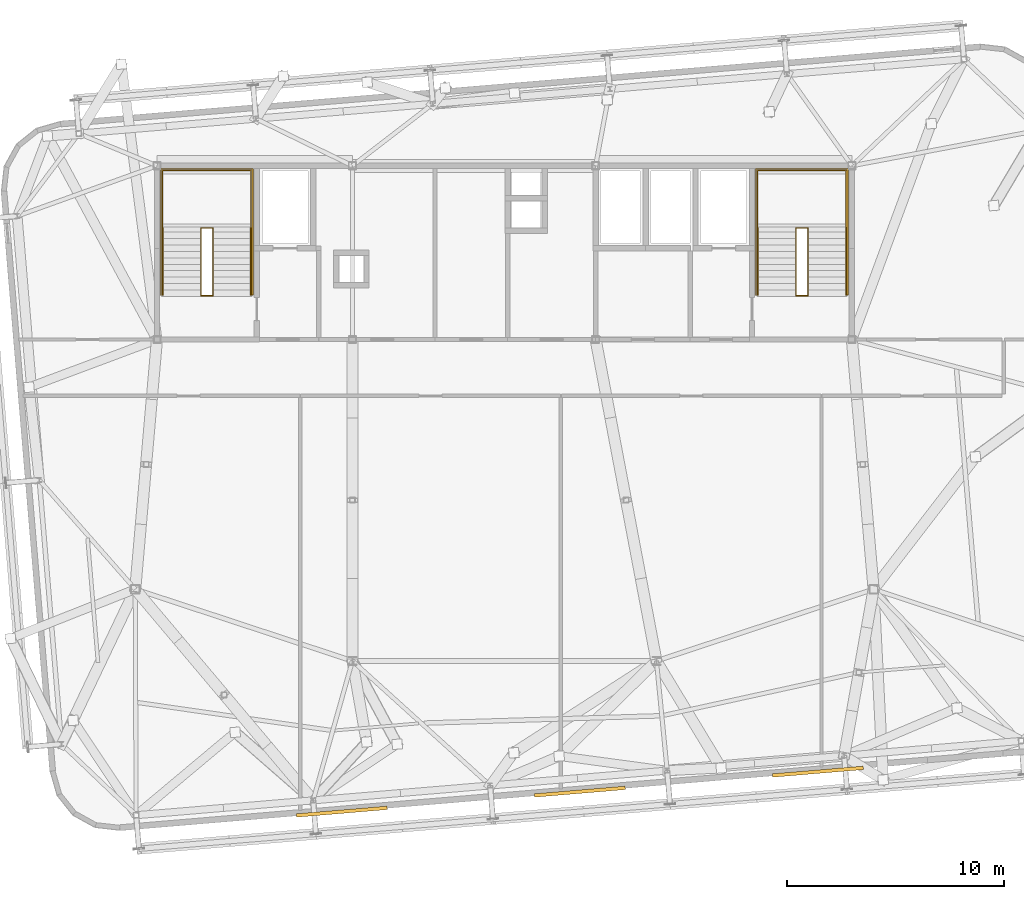
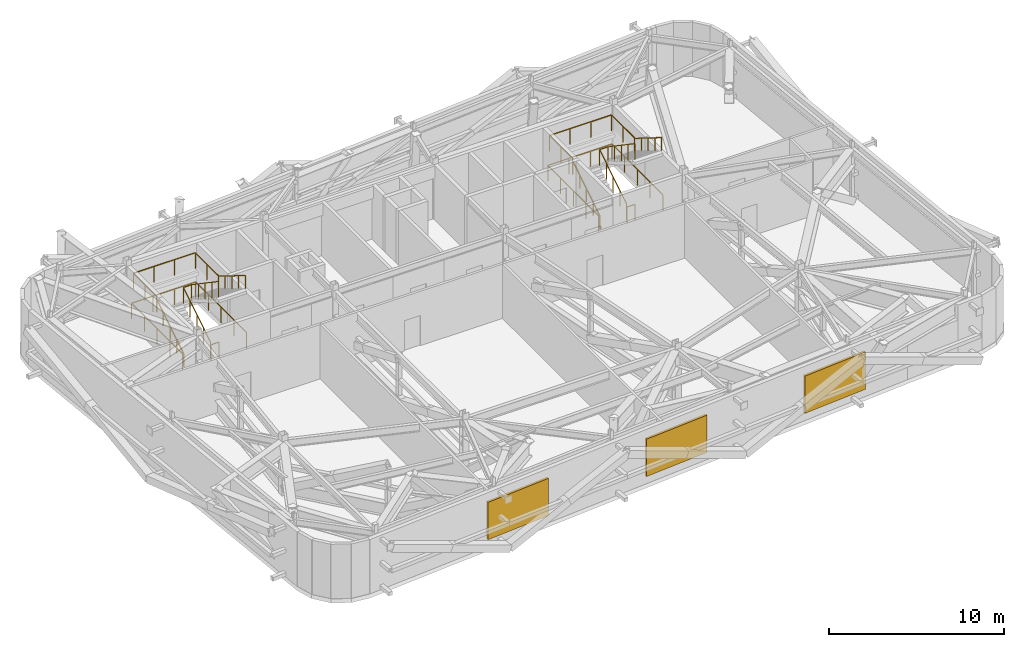
# One storey, part 26 of 26: 12 railings, 3 shading devices.
"""IFC4 building model written with IfcOpenShell, lengths in metres."""

import ifcopenshell
import ifcopenshell.guid

model = None  # the IFC model being written
_history = None  # IfcOwnerHistory: only IFC2X3 demands one
_inside = {}  # id of a spatial element -> (the spatial element, [elements in it])
_under = {}  # id of a project, library or spatial element -> (it, [spatial elements below it])
_declared = {}  # id of a project -> (the project, [libraries it declares])
_typed = {}  # id of a type object -> (the type object, [elements of that type])
_made_of = {}  # id of a material, layer set ... -> (it, [elements and type objects made of it])


def new_model(schema):
    """Start an empty IFC model of exactly this schema.

    Asked for "IFC4X3", IfcOpenShell would pick the latest addendum, in which some entities
    have other attributes; the version numbers below select the first issue.
    IFC2X3 requires an IfcOwnerHistory on every rooted entity: one is made here for all.
    """
    global model, _history
    if schema == "IFC4X3":
        model = ifcopenshell.file(schema_version=(4, 3, 0, 0))
    else:
        model = ifcopenshell.file(schema=schema)
    _inside.clear()
    _under.clear()
    _declared.clear()
    _typed.clear()
    _made_of.clear()
    _history = None
    if model.schema == "IFC2X3":
        org = make("IfcOrganization", Name="unknown")
        user = make(
            "IfcPersonAndOrganization",
            ThePerson=make("IfcPerson", FamilyName="unknown"),
            TheOrganization=org,
        )
        app = make(
            "IfcApplication",
            ApplicationDeveloper=org,
            Version="unknown",
            ApplicationFullName="unknown",
            ApplicationIdentifier="unknown",
        )
        _history = make(
            "IfcOwnerHistory",
            OwningUser=user,
            OwningApplication=app,
            ChangeAction="ADDED",
            CreationDate=0,
        )
    return model


def make(cls, **values):
    """One entity of the class cls with the attributes given. An attribute that is None is left unset."""
    return model.create_entity(
        cls, **{name: value for name, value in values.items() if value is not None}
    )


def rooted(cls, **values):
    """An entity with a GlobalId (a new one), such as an element, a storey or a relation."""
    return make(cls, GlobalId=ifcopenshell.guid.new(), OwnerHistory=_history, **values)


def si_unit(unit_type, name, prefix=None):
    """IfcSIUnit, for example si_unit("LENGTHUNIT", "METRE", prefix="MILLI")."""
    return make("IfcSIUnit", UnitType=unit_type, Prefix=prefix, Name=name)


def assignment(units):
    """IfcUnitAssignment: the units of a project."""
    return None if units is None else make("IfcUnitAssignment", Units=units)


def point(xyz):
    """IfcCartesianPoint."""
    return None if xyz is None else make("IfcCartesianPoint", Coordinates=xyz)


def direction(xyz):
    """IfcDirection."""
    return None if xyz is None else make("IfcDirection", DirectionRatios=xyz)


def frame(location, z_axis=None, x_axis=None):
    """IfcAxis2Placement3D, a coordinate frame: its origin and axes. An axis left out is left unset."""
    return make(
        "IfcAxis2Placement3D",
        Location=point(location),
        Axis=direction(z_axis),
        RefDirection=direction(x_axis),
    )


def frame_2d(location, x_axis=None):
    """IfcAxis2Placement2D, a coordinate frame in the plane: its origin and x axis."""
    return make(
        "IfcAxis2Placement2D", Location=point(location), RefDirection=direction(x_axis)
    )


def origin():
    """The frame at (0, 0, 0) with its axes left unset."""
    return frame((0.0, 0.0, 0.0))


def origin_2d():
    """The frame at (0, 0) in the plane with its x axis left unset."""
    return frame_2d((0.0, 0.0))


def place(relative_to, where):
    """IfcLocalPlacement: puts the frame where relative to a parent placement (None: the world)."""
    return make(
        "IfcLocalPlacement", PlacementRelTo=relative_to, RelativePlacement=where
    )


def context(
    kind, dimensions, precision=None, world=None, true_north=None, identifier=None
):
    """IfcGeometricRepresentationContext, for example the 3D "Model" context."""
    return make(
        "IfcGeometricRepresentationContext",
        ContextIdentifier=identifier,
        ContextType=kind,
        CoordinateSpaceDimension=dimensions,
        Precision=precision,
        WorldCoordinateSystem=world,
        TrueNorth=true_north,
    )


def subcontext(parent, identifier, kind, view, scale=None):
    """IfcGeometricRepresentationSubContext, for example "Body" below "Model"."""
    return make(
        "IfcGeometricRepresentationSubContext",
        ContextIdentifier=identifier,
        ContextType=kind,
        ParentContext=parent,
        TargetScale=scale,
        TargetView=view,
    )


def project(units=None, contexts=None):
    """IfcProject with its units and contexts."""
    return rooted(
        "IfcProject",
        Name="project",
        RepresentationContexts=contexts,
        UnitsInContext=assignment(units),
    )


def spatial(cls, under=None, at=None, **own):
    """A site, building, storey or space (cls), placed at a placement, below another one or the project."""
    s = rooted(cls, ObjectPlacement=at, **own)
    if under is not None:
        _under.setdefault(under.id(), (under, []))[1].append(s)
    return s


def profile(cls, at=None, kind="AREA", **sizes):
    """A parametric profile (cls). Its sizes go by their IFC names, for example OverallWidth=200.0."""
    return make(cls, ProfileType=kind, Position=at, **sizes)


def rectangle(**sizes):
    """IfcRectangleProfileDef."""
    return profile("IfcRectangleProfileDef", **sizes)


def extrude(swept, where, along, depth):
    """IfcExtrudedAreaSolid: the profile swept, set in the frame where, extruded along a direction by depth."""
    return make(
        "IfcExtrudedAreaSolid",
        SweptArea=swept,
        Position=where,
        ExtrudedDirection=direction(along),
        Depth=depth,
    )


def shape(context_of_items, identifier, shape_type, items):
    """IfcShapeRepresentation: the items that make up one representation, for example the "Body"."""
    return make(
        "IfcShapeRepresentation",
        ContextOfItems=context_of_items,
        RepresentationIdentifier=identifier,
        RepresentationType=shape_type,
        Items=items,
    )


def source(mapping_origin, context_of_items, identifier, shape_type, items):
    """IfcRepresentationMap: a shape defined once, which mapped items show again and again."""
    return make(
        "IfcRepresentationMap",
        MappingOrigin=mapping_origin,
        MappedRepresentation=shape(context_of_items, identifier, shape_type, items),
    )


def transform(
    local_origin,
    x_axis=None,
    y_axis=None,
    z_axis=None,
    scale=None,
    scale2=None,
    scale3=None,
    uniform=True,
):
    """IfcCartesianTransformationOperator3D, or its non-uniform kind. x_axis, y_axis, z_axis: its Axis1, 2, 3."""
    if uniform:
        return make(
            "IfcCartesianTransformationOperator3D",
            Axis1=direction(x_axis),
            Axis2=direction(y_axis),
            LocalOrigin=point(local_origin),
            Scale=scale,
            Axis3=direction(z_axis),
        )
    return make(
        "IfcCartesianTransformationOperator3DnonUniform",
        Axis1=direction(x_axis),
        Axis2=direction(y_axis),
        LocalOrigin=point(local_origin),
        Scale=scale,
        Axis3=direction(z_axis),
        Scale2=scale2,
        Scale3=scale3,
    )


def mapped(mapping_source, mapping_target):
    """IfcMappedItem: shows the shape of a source again, moved by a transform."""
    return make(
        "IfcMappedItem", MappingSource=mapping_source, MappingTarget=mapping_target
    )


def material(Name=None, Category=None):
    """IfcMaterial."""
    return make("IfcMaterial", Name=Name, Category=Category)


def layer(
    of_material, thickness, ventilated=None, Name=None, Category=None, Priority=None
):
    """IfcMaterialLayer: one layer of a wall or slab, of a material (None: an air gap)."""
    return make(
        "IfcMaterialLayer",
        Material=of_material,
        LayerThickness=thickness,
        IsVentilated=ventilated,
        Name=Name,
        Category=Category,
        Priority=Priority,
    )


def layer_set(layers, Name=None):
    """IfcMaterialLayerSet."""
    return make("IfcMaterialLayerSet", MaterialLayers=layers, LayerSetName=Name)


def made_of(thing, what):
    """Note that an element or type object is made of a material, layer set ...; save() writes the relation."""
    if what is not None:
        _made_of.setdefault(what.id(), (what, []))[1].append(thing)
    return thing


def type_object(cls, material=None, **own):
    """A type object (cls), such as IfcWallType, which elements share."""
    return made_of(rooted(cls, **own), material)


def element(
    cls,
    number,
    at=None,
    inside=None,
    cuts=None,
    type_object=None,
    material=None,
    context=None,
    identifier="Body",
    shape_type=None,
    held_by="IfcProductDefinitionShape",
    body=None,
    shapes=None,
    **own,
):
    """One element of the class cls, such as IfcWall. Its Tag is "e" and its number.

    at: its placement. inside: the storey or other place that contains it. cuts: it is an
    opening in that element (IfcRelVoidsElement). A single representation is given by context,
    identifier, shape_type and body (its items); several are given by shapes. held_by: the class
    of the entity that holds the representations. save() writes the other relations.
    """
    e = rooted(cls, Tag="e%d" % number, ObjectPlacement=at, **own)
    if body is not None:
        shapes = [shape(context, identifier, shape_type, body)]
    if shapes is not None:
        e.Representation = make(held_by, Representations=shapes)
    if inside is not None:
        _inside.setdefault(inside.id(), (inside, []))[1].append(e)
    if cuts is not None:
        rooted(
            "IfcRelVoidsElement", RelatingBuildingElement=cuts, RelatedOpeningElement=e
        )
    if type_object is not None:
        _typed.setdefault(type_object.id(), (type_object, []))[1].append(e)
    return made_of(e, material)


def aggregate(whole, parts):
    """IfcRelAggregates: a whole, such as a stair, and the parts it consists of."""
    return rooted("IfcRelAggregates", RelatingObject=whole, RelatedObjects=parts)


def save(model, path):
    """Write the relations noted so far, then the file.

    IfcRelAggregates (storeys below a building ...), IfcRelContainedInSpatialStructure (elements
    in a storey), IfcRelDefinesByType, IfcRelAssociatesMaterial and IfcRelDeclares: one each for
    every whole, place, type object, material and project.
    """
    for whole, parts in _under.values():
        aggregate(whole, parts)
    for where, things in _inside.values():
        rooted(
            "IfcRelContainedInSpatialStructure",
            RelatedElements=things,
            RelatingStructure=where,
        )
    for kind, things in _typed.values():
        rooted("IfcRelDefinesByType", RelatedObjects=things, RelatingType=kind)
    for what, things in _made_of.values():
        rooted("IfcRelAssociatesMaterial", RelatedObjects=things, RelatingMaterial=what)
    for by, libraries in _declared.values():
        rooted("IfcRelDeclares", RelatingContext=by, RelatedDefinitions=libraries)
    model.write(path)


model = new_model("IFC4")

# Units and contexts
model_context = context("Model", 3, precision=1e-05, world=origin(), true_north=direction((0.0, 1.0)))
body_context = subcontext(model_context, "Body", "Model", "MODEL_VIEW")
ifc_project = project(units=[si_unit("LENGTHUNIT", "METRE"), si_unit("AREAUNIT", "SQUARE_METRE"), si_unit("VOLUMEUNIT", "CUBIC_METRE"), si_unit("PLANEANGLEUNIT", "RADIAN"), si_unit("MASSUNIT", "GRAM", prefix="KILO")], contexts=[model_context])

# Site, building, storey
site_placement = place(None, origin())
site = spatial("IfcSite", under=ifc_project, at=site_placement, CompositionType="ELEMENT")
building_placement = place(site_placement, origin())
building = spatial("IfcBuilding", under=site, at=building_placement, Name="Taldren Reach Tower", CompositionType="ELEMENT")
storey_placement = place(building_placement, frame((0.0, 0.0, 207.199951171875)))
storey = spatial("IfcBuildingStorey", under=building, at=storey_placement, Name="L63", CompositionType="ELEMENT", Elevation=207.199951171875)

# Railings
ifc_material_1 = material(Name="Steel Gr 350 (C350L0)", Category="steel")
ifc_layer_1 = layer(ifc_material_1, 0.050048828125)
ifc_layer_set_1 = layer_set([ifc_layer_1], Name="Steel Gr 350 (C350L0)")
railing_type_1 = type_object("IfcRailingType", Name="RL-STAIR-GR", PredefinedType="GUARDRAIL", material=ifc_layer_set_1)
railing_1_placement = place(storey_placement, frame((19.260009765625, 29.135009765625, 2.10009765625)))
element("IfcRailing", 1, at=railing_1_placement, inside=storey, type_object=railing_type_1, Name="Stair half-landing perimeter guard ST1-L63", PredefinedType="GUARDRAIL", context=body_context, shape_type="SweptSolid", body=[
    extrude(rectangle(XDim=0.047852, YDim=0.047852, at=origin_2d()), frame((0.0, 0.0, 1.09619140625), z_axis=(0.0, 1.0, 0.0), x_axis=(-1.0, 0.0, 0.0)), (0.0, 0.0, 1.0), 2.64501953125),
    extrude(rectangle(XDim=0.047852, YDim=0.047852, at=origin_2d()), frame((0.0, 2.64501953125, 1.09619140625), z_axis=(1.0, 0.0, 0.0), x_axis=(0.0, 1.0, 0.0)), (0.0, 0.0, 1.0), 4.080078125),
    extrude(rectangle(XDim=0.047852, YDim=0.047852, at=origin_2d()), frame((4.080078125, 2.64501953125, 1.09619140625), z_axis=(0.0, -1.0, 0.0), x_axis=(1.0, 0.0, 0.0)), (0.0, 0.0, 1.0), 2.64501953125),
    extrude(rectangle(XDim=0.041992, YDim=0.041992, at=origin_2d()), origin(), (0.0, 0.0, 1.0), 1.072021484375),
    extrude(rectangle(XDim=0.041992, YDim=0.041992, at=origin_2d()), frame((0.0, 1.322509765625, 0.0)), (0.0, 0.0, 1.0), 1.072021484375),
    extrude(rectangle(XDim=0.041992, YDim=0.041992, at=origin_2d()), frame((0.0, 2.64501953125, 0.0)), (0.0, 0.0, 1.0), 1.072021484375),
    extrude(rectangle(XDim=0.041992, YDim=0.041992, at=origin_2d()), frame((1.360107421875, 2.64501953125, 0.0)), (0.0, 0.0, 1.0), 1.072021484375),
    extrude(rectangle(XDim=0.041992, YDim=0.041992, at=origin_2d()), frame((2.719970703125, 2.64501953125, 0.0)), (0.0, 0.0, 1.0), 1.072021484375),
    extrude(rectangle(XDim=0.041992, YDim=0.041992, at=origin_2d()), frame((4.080078125, 2.64501953125, 0.0)), (0.0, 0.0, 1.0), 1.072021484375),
    extrude(rectangle(XDim=0.041992, YDim=0.041992, at=origin_2d()), frame((4.080078125, 1.322509765625, 0.0)), (0.0, 0.0, 1.0), 1.072021484375),
    extrude(rectangle(XDim=0.041992, YDim=0.041992, at=origin_2d()), frame((4.080078125, 0.0, 0.0)), (0.0, 0.0, 1.0), 1.072021484375),
])
railing_2_placement = place(storey_placement, frame((21.030029296875, 26.050048828125, 0.175048828125)))
element("IfcRailing", 2, at=railing_2_placement, inside=storey, type_object=railing_type_1, Name="Stairwell inner guard ST1-L63", PredefinedType="GUARDRAIL", context=body_context, shape_type="SweptSolid", body=[
    extrude(rectangle(XDim=0.047852, YDim=0.047852, at=origin_2d()), frame((0.0, 0.0, 1.09619140625), z_axis=(0.0, 0.848375277705, 0.529395304266), x_axis=(-1.0, 0.0, 0.0)), (0.0, 0.0, 1.0), 3.63623046875),
    extrude(rectangle(XDim=0.047852, YDim=0.047852, at=origin_2d()), frame((0.0, 3.0849609375, 3.02099609375), z_axis=(1.0, 0.0, 0.0), x_axis=(0.0, 1.0, 0.0)), (0.0, 0.0, 1.0), 0.5400390625),
    extrude(rectangle(XDim=0.047852, YDim=0.047852, at=origin_2d()), frame((0.5400390625, 3.0849609375, 3.02099609375), z_axis=(0.0, -0.826667233066, 0.562691110446), x_axis=(1.0, 0.0, 0.0)), (0.0, 0.0, 1.0), 3.731689453125),
    extrude(rectangle(XDim=0.041992, YDim=0.041992, at=origin_2d()), origin(), (0.0, 0.0, 1.0), 1.072021484375),
    extrude(rectangle(XDim=0.041992, YDim=0.041992, at=origin_2d()), frame((0.0, 0.771240234375, 0.481201171875)), (0.0, 0.0, 1.0), 1.072021484375),
    extrude(rectangle(XDim=0.041992, YDim=0.041992, at=origin_2d()), frame((0.0, 1.54248046875, 0.96240234375)), (0.0, 0.0, 1.0), 1.072021484375),
    extrude(rectangle(XDim=0.041992, YDim=0.041992, at=origin_2d()), frame((0.0, 2.313720703125, 1.44384765625)), (0.0, 0.0, 1.0), 1.072021484375),
    extrude(rectangle(XDim=0.041992, YDim=0.041992, at=origin_2d()), frame((0.0, 3.0849609375, 1.925048828125)), (0.0, 0.0, 1.0), 1.072021484375),
    extrude(rectangle(XDim=0.041992, YDim=0.041992, at=origin_2d()), frame((0.5400390625, 3.0849609375, 1.925048828125)), (0.0, 0.0, 1.0), 1.072021484375),
    extrude(rectangle(XDim=0.041992, YDim=0.041992, at=origin_2d()), frame((0.5400390625, 2.313720703125, 2.449951171875)), (0.0, 0.0, 1.0), 1.072021484375),
    extrude(rectangle(XDim=0.041992, YDim=0.041992, at=origin_2d()), frame((0.5400390625, 1.54248046875, 2.97509765625)), (0.0, 0.0, 1.0), 1.072021484375),
    extrude(rectangle(XDim=0.041992, YDim=0.041992, at=origin_2d()), frame((0.5400390625, 0.771240234375, 3.5)), (0.0, 0.0, 1.0), 1.072021484375),
    extrude(rectangle(XDim=0.041992, YDim=0.041992, at=origin_2d()), frame((0.5400390625, 0.0, 4.02490234375)), (0.0, 0.0, 1.0), 1.072021484375),
])
railing_3_placement = place(storey_placement, frame((21.030029296875, 26.010009765625, 0.0)))
element("IfcRailing", 3, at=railing_3_placement, inside=storey, type_object=railing_type_1, Name="Stairwell landing slot guard ST1-L63", PredefinedType="GUARDRAIL", context=body_context, shape_type="SweptSolid", body=[
    extrude(rectangle(XDim=0.047852, YDim=0.047852, at=origin_2d()), frame((0.0, 0.0, 1.09619140625), z_axis=(1.0, 0.0, 0.0), x_axis=(0.0, 1.0, 0.0)), (0.0, 0.0, 1.0), 0.5400390625),
    extrude(rectangle(XDim=0.041992, YDim=0.041992, at=origin_2d()), origin(), (0.0, 0.0, 1.0), 1.072021484375),
    extrude(rectangle(XDim=0.041992, YDim=0.041992, at=origin_2d()), frame((0.5400390625, 0.0, 0.0)), (0.0, 0.0, 1.0), 1.072021484375),
])
railing_4_placement = place(storey_placement, frame((19.18994140625, 26.050048828125, 0.0)))
element("IfcRailing", 4, at=railing_4_placement, inside=storey, type_object=railing_type_1, Name="Stairwell floor opening guard ST1-L63", PredefinedType="GUARDRAIL", context=body_context, shape_type="SweptSolid", body=[
    extrude(rectangle(XDim=0.047852, YDim=0.047852, at=origin_2d()), frame((0.0, 0.0, 1.09619140625), z_axis=(0.0, 1.0, 0.0), x_axis=(-1.0, 0.0, 0.0)), (0.0, 0.0, 1.0), 5.800048828125),
    extrude(rectangle(XDim=0.047852, YDim=0.047852, at=origin_2d()), frame((0.0, 5.800048828125, 1.09619140625), z_axis=(1.0, 0.0, 0.0), x_axis=(0.0, 1.0, 0.0)), (0.0, 0.0, 1.0), 4.219970703125),
    extrude(rectangle(XDim=0.047852, YDim=0.047852, at=origin_2d()), frame((4.219970703125, 5.800048828125, 1.09619140625), z_axis=(0.0, -1.0, 0.0), x_axis=(1.0, 0.0, 0.0)), (0.0, 0.0, 1.0), 5.800048828125),
    extrude(rectangle(XDim=0.041992, YDim=0.041992, at=origin_2d()), origin(), (0.0, 0.0, 1.0), 1.072021484375),
    extrude(rectangle(XDim=0.041992, YDim=0.041992, at=origin_2d()), frame((0.0, 1.449951171875, 0.0)), (0.0, 0.0, 1.0), 1.072021484375),
    extrude(rectangle(XDim=0.041992, YDim=0.041992, at=origin_2d()), frame((0.0, 2.89990234375, 0.0)), (0.0, 0.0, 1.0), 1.072021484375),
    extrude(rectangle(XDim=0.041992, YDim=0.041992, at=origin_2d()), frame((0.0, 4.35009765625, 0.0)), (0.0, 0.0, 1.0), 1.072021484375),
    extrude(rectangle(XDim=0.041992, YDim=0.041992, at=origin_2d()), frame((0.0, 5.800048828125, 0.0)), (0.0, 0.0, 1.0), 1.072021484375),
    extrude(rectangle(XDim=0.041992, YDim=0.041992, at=origin_2d()), frame((1.40673828125, 5.800048828125, 0.0)), (0.0, 0.0, 1.0), 1.072021484375),
    extrude(rectangle(XDim=0.041992, YDim=0.041992, at=origin_2d()), frame((2.813232421875, 5.800048828125, 0.0)), (0.0, 0.0, 1.0), 1.072021484375),
    extrude(rectangle(XDim=0.041992, YDim=0.041992, at=origin_2d()), frame((4.219970703125, 5.800048828125, 0.0)), (0.0, 0.0, 1.0), 1.072021484375),
    extrude(rectangle(XDim=0.041992, YDim=0.041992, at=origin_2d()), frame((4.219970703125, 4.35009765625, 0.0)), (0.0, 0.0, 1.0), 1.072021484375),
    extrude(rectangle(XDim=0.041992, YDim=0.041992, at=origin_2d()), frame((4.219970703125, 2.89990234375, 0.0)), (0.0, 0.0, 1.0), 1.072021484375),
    extrude(rectangle(XDim=0.041992, YDim=0.041992, at=origin_2d()), frame((4.219970703125, 1.449951171875, 0.0)), (0.0, 0.0, 1.0), 1.072021484375),
    extrude(rectangle(XDim=0.041992, YDim=0.041992, at=origin_2d()), frame((4.219970703125, 0.0, 0.0)), (0.0, 0.0, 1.0), 1.072021484375),
])
railing_5_placement = place(storey_placement, frame((46.659912109375, 29.135009765625, 2.10009765625)))
element("IfcRailing", 5, at=railing_5_placement, inside=storey, type_object=railing_type_1, Name="Stair half-landing perimeter guard ST2-L63", PredefinedType="GUARDRAIL", context=body_context, shape_type="SweptSolid", body=[
    extrude(rectangle(XDim=0.047852, YDim=0.047852, at=origin_2d()), frame((0.0, 0.0, 1.09619140625), z_axis=(0.0, 1.0, 0.0), x_axis=(-1.0, 0.0, 0.0)), (0.0, 0.0, 1.0), 2.64501953125),
    extrude(rectangle(XDim=0.047852, YDim=0.047852, at=origin_2d()), frame((0.0, 2.64501953125, 1.09619140625), z_axis=(1.0, 0.0, 0.0), x_axis=(0.0, 1.0, 0.0)), (0.0, 0.0, 1.0), 4.080078125),
    extrude(rectangle(XDim=0.047852, YDim=0.047852, at=origin_2d()), frame((4.080078125, 2.64501953125, 1.09619140625), z_axis=(0.0, -1.0, 0.0), x_axis=(1.0, 0.0, 0.0)), (0.0, 0.0, 1.0), 2.64501953125),
    extrude(rectangle(XDim=0.041992, YDim=0.041992, at=origin_2d()), origin(), (0.0, 0.0, 1.0), 1.072021484375),
    extrude(rectangle(XDim=0.041992, YDim=0.041992, at=origin_2d()), frame((0.0, 1.322509765625, 0.0)), (0.0, 0.0, 1.0), 1.072021484375),
    extrude(rectangle(XDim=0.041992, YDim=0.041992, at=origin_2d()), frame((0.0, 2.64501953125, 0.0)), (0.0, 0.0, 1.0), 1.072021484375),
    extrude(rectangle(XDim=0.041992, YDim=0.041992, at=origin_2d()), frame((1.360107421875, 2.64501953125, 0.0)), (0.0, 0.0, 1.0), 1.072021484375),
    extrude(rectangle(XDim=0.041992, YDim=0.041992, at=origin_2d()), frame((2.719970703125, 2.64501953125, 0.0)), (0.0, 0.0, 1.0), 1.072021484375),
    extrude(rectangle(XDim=0.041992, YDim=0.041992, at=origin_2d()), frame((4.080078125, 2.64501953125, 0.0)), (0.0, 0.0, 1.0), 1.072021484375),
    extrude(rectangle(XDim=0.041992, YDim=0.041992, at=origin_2d()), frame((4.080078125, 1.322509765625, 0.0)), (0.0, 0.0, 1.0), 1.072021484375),
    extrude(rectangle(XDim=0.041992, YDim=0.041992, at=origin_2d()), frame((4.080078125, 0.0, 0.0)), (0.0, 0.0, 1.0), 1.072021484375),
])
railing_6_placement = place(storey_placement, frame((48.429931640625, 26.050048828125, 0.175048828125)))
element("IfcRailing", 6, at=railing_6_placement, inside=storey, type_object=railing_type_1, Name="Stairwell inner guard ST2-L63", PredefinedType="GUARDRAIL", context=body_context, shape_type="SweptSolid", body=[
    extrude(rectangle(XDim=0.047852, YDim=0.047852, at=origin_2d()), frame((0.0, 0.0, 1.09619140625), z_axis=(0.0, 0.848375277705, 0.529395304266), x_axis=(-1.0, 0.0, 0.0)), (0.0, 0.0, 1.0), 3.63623046875),
    extrude(rectangle(XDim=0.047852, YDim=0.047852, at=origin_2d()), frame((0.0, 3.0849609375, 3.02099609375), z_axis=(1.0, 0.0, 0.0), x_axis=(0.0, 1.0, 0.0)), (0.0, 0.0, 1.0), 0.5400390625),
    extrude(rectangle(XDim=0.047852, YDim=0.047852, at=origin_2d()), frame((0.5400390625, 3.0849609375, 3.02099609375), z_axis=(0.0, -0.826667233066, 0.562691110446), x_axis=(1.0, 0.0, 0.0)), (0.0, 0.0, 1.0), 3.731689453125),
    extrude(rectangle(XDim=0.041992, YDim=0.041992, at=origin_2d()), origin(), (0.0, 0.0, 1.0), 1.072021484375),
    extrude(rectangle(XDim=0.041992, YDim=0.041992, at=origin_2d()), frame((0.0, 0.771240234375, 0.481201171875)), (0.0, 0.0, 1.0), 1.072021484375),
    extrude(rectangle(XDim=0.041992, YDim=0.041992, at=origin_2d()), frame((0.0, 1.54248046875, 0.96240234375)), (0.0, 0.0, 1.0), 1.072021484375),
    extrude(rectangle(XDim=0.041992, YDim=0.041992, at=origin_2d()), frame((0.0, 2.313720703125, 1.44384765625)), (0.0, 0.0, 1.0), 1.072021484375),
    extrude(rectangle(XDim=0.041992, YDim=0.041992, at=origin_2d()), frame((0.0, 3.0849609375, 1.925048828125)), (0.0, 0.0, 1.0), 1.072021484375),
    extrude(rectangle(XDim=0.041992, YDim=0.041992, at=origin_2d()), frame((0.5400390625, 3.0849609375, 1.925048828125)), (0.0, 0.0, 1.0), 1.072021484375),
    extrude(rectangle(XDim=0.041992, YDim=0.041992, at=origin_2d()), frame((0.5400390625, 2.313720703125, 2.449951171875)), (0.0, 0.0, 1.0), 1.072021484375),
    extrude(rectangle(XDim=0.041992, YDim=0.041992, at=origin_2d()), frame((0.5400390625, 1.54248046875, 2.97509765625)), (0.0, 0.0, 1.0), 1.072021484375),
    extrude(rectangle(XDim=0.041992, YDim=0.041992, at=origin_2d()), frame((0.5400390625, 0.771240234375, 3.5)), (0.0, 0.0, 1.0), 1.072021484375),
    extrude(rectangle(XDim=0.041992, YDim=0.041992, at=origin_2d()), frame((0.5400390625, 0.0, 4.02490234375)), (0.0, 0.0, 1.0), 1.072021484375),
])
railing_7_placement = place(storey_placement, frame((48.429931640625, 26.010009765625, 0.0)))
element("IfcRailing", 7, at=railing_7_placement, inside=storey, type_object=railing_type_1, Name="Stairwell landing slot guard ST2-L63", PredefinedType="GUARDRAIL", context=body_context, shape_type="SweptSolid", body=[
    extrude(rectangle(XDim=0.047852, YDim=0.047852, at=origin_2d()), frame((0.0, 0.0, 1.09619140625), z_axis=(1.0, 0.0, 0.0), x_axis=(0.0, 1.0, 0.0)), (0.0, 0.0, 1.0), 0.5400390625),
    extrude(rectangle(XDim=0.041992, YDim=0.041992, at=origin_2d()), origin(), (0.0, 0.0, 1.0), 1.072021484375),
    extrude(rectangle(XDim=0.041992, YDim=0.041992, at=origin_2d()), frame((0.5400390625, 0.0, 0.0)), (0.0, 0.0, 1.0), 1.072021484375),
])
railing_8_placement = place(storey_placement, frame((46.590087890625, 26.050048828125, 0.0)))
element("IfcRailing", 8, at=railing_8_placement, inside=storey, type_object=railing_type_1, Name="Stairwell floor opening guard ST2-L63", PredefinedType="GUARDRAIL", context=body_context, shape_type="SweptSolid", body=[
    extrude(rectangle(XDim=0.047852, YDim=0.047852, at=origin_2d()), frame((0.0, 0.0, 1.09619140625), z_axis=(0.0, 1.0, 0.0), x_axis=(-1.0, 0.0, 0.0)), (0.0, 0.0, 1.0), 5.800048828125),
    extrude(rectangle(XDim=0.047852, YDim=0.047852, at=origin_2d()), frame((0.0, 5.800048828125, 1.09619140625), z_axis=(1.0, 0.0, 0.0), x_axis=(0.0, 1.0, 0.0)), (0.0, 0.0, 1.0), 4.219970703125),
    extrude(rectangle(XDim=0.047852, YDim=0.047852, at=origin_2d()), frame((4.219970703125, 5.800048828125, 1.09619140625), z_axis=(0.0, -1.0, 0.0), x_axis=(1.0, 0.0, 0.0)), (0.0, 0.0, 1.0), 5.800048828125),
    extrude(rectangle(XDim=0.041992, YDim=0.041992, at=origin_2d()), origin(), (0.0, 0.0, 1.0), 1.072021484375),
    extrude(rectangle(XDim=0.041992, YDim=0.041992, at=origin_2d()), frame((0.0, 1.449951171875, 0.0)), (0.0, 0.0, 1.0), 1.072021484375),
    extrude(rectangle(XDim=0.041992, YDim=0.041992, at=origin_2d()), frame((0.0, 2.89990234375, 0.0)), (0.0, 0.0, 1.0), 1.072021484375),
    extrude(rectangle(XDim=0.041992, YDim=0.041992, at=origin_2d()), frame((0.0, 4.35009765625, 0.0)), (0.0, 0.0, 1.0), 1.072021484375),
    extrude(rectangle(XDim=0.041992, YDim=0.041992, at=origin_2d()), frame((0.0, 5.800048828125, 0.0)), (0.0, 0.0, 1.0), 1.072021484375),
    extrude(rectangle(XDim=0.041992, YDim=0.041992, at=origin_2d()), frame((1.40673828125, 5.800048828125, 0.0)), (0.0, 0.0, 1.0), 1.072021484375),
    extrude(rectangle(XDim=0.041992, YDim=0.041992, at=origin_2d()), frame((2.813232421875, 5.800048828125, 0.0)), (0.0, 0.0, 1.0), 1.072021484375),
    extrude(rectangle(XDim=0.041992, YDim=0.041992, at=origin_2d()), frame((4.219970703125, 5.800048828125, 0.0)), (0.0, 0.0, 1.0), 1.072021484375),
    extrude(rectangle(XDim=0.041992, YDim=0.041992, at=origin_2d()), frame((4.219970703125, 4.35009765625, 0.0)), (0.0, 0.0, 1.0), 1.072021484375),
    extrude(rectangle(XDim=0.041992, YDim=0.041992, at=origin_2d()), frame((4.219970703125, 2.89990234375, 0.0)), (0.0, 0.0, 1.0), 1.072021484375),
    extrude(rectangle(XDim=0.041992, YDim=0.041992, at=origin_2d()), frame((4.219970703125, 1.449951171875, 0.0)), (0.0, 0.0, 1.0), 1.072021484375),
    extrude(rectangle(XDim=0.041992, YDim=0.041992, at=origin_2d()), frame((4.219970703125, 0.0, 0.0)), (0.0, 0.0, 1.0), 1.072021484375),
])
ifc_material_2 = material(Name="Stainless Steel Gr 316", Category="steel")
ifc_layer_2 = layer(ifc_material_2, 0.048095703125)
ifc_layer_set_2 = layer_set([ifc_layer_2], Name="Stainless Steel Gr 316")
railing_type_2 = type_object("IfcRailingType", Name="RL-STAIR-HR", PredefinedType="HANDRAIL", material=ifc_layer_set_2)
railing_9_placement = place(storey_placement, frame((19.27001953125, 26.050048828125, 0.175048828125)))
element("IfcRailing", 9, at=railing_9_placement, inside=storey, type_object=railing_type_2, Name="Stair flight handrail ST1-L63-1", PredefinedType="HANDRAIL", context=body_context, shape_type="SweptSolid", body=[
    extrude(rectangle(XDim=0.047852, YDim=0.047852, at=origin_2d()), frame((0.0, 0.0, 0.89599609375), z_axis=(0.0, 0.848375277705, 0.529395304266), x_axis=(-1.0, 0.0, 0.0)), (0.0, 0.0, 1.0), 3.63623046875),
    extrude(rectangle(XDim=0.041992, YDim=0.041992, at=origin_2d()), origin(), (0.0, 0.0, 1.0), 0.871826171875),
    extrude(rectangle(XDim=0.041992, YDim=0.041992, at=origin_2d()), frame((0.0, 0.771240234375, 0.481201171875)), (0.0, 0.0, 1.0), 0.871826171875),
    extrude(rectangle(XDim=0.041992, YDim=0.041992, at=origin_2d()), frame((0.0, 1.54248046875, 0.96240234375)), (0.0, 0.0, 1.0), 0.871826171875),
    extrude(rectangle(XDim=0.041992, YDim=0.041992, at=origin_2d()), frame((0.0, 2.313720703125, 1.44384765625)), (0.0, 0.0, 1.0), 0.871826171875),
    extrude(rectangle(XDim=0.041992, YDim=0.041992, at=origin_2d()), frame((0.0, 3.0849609375, 1.925048828125)), (0.0, 0.0, 1.0), 0.871826171875),
])
railing_10_placement = place(storey_placement, frame((23.330078125, 29.135009765625, 2.275146484375)))
element("IfcRailing", 10, at=railing_10_placement, inside=storey, type_object=railing_type_2, Name="Stair flight handrail ST1-L63-2", PredefinedType="HANDRAIL", context=body_context, shape_type="SweptSolid", body=[
    extrude(rectangle(XDim=0.047852, YDim=0.047852, at=origin_2d()), frame((0.0, 0.0, 0.89599609375), z_axis=(0.0, -0.848405431508, 0.529346978633), x_axis=(1.0, 0.0, 0.0)), (0.0, 0.0, 1.0), 3.63623046875),
    extrude(rectangle(XDim=0.041992, YDim=0.041992, at=origin_2d()), origin(), (0.0, 0.0, 1.0), 0.871826171875),
    extrude(rectangle(XDim=0.041992, YDim=0.041992, at=origin_2d()), frame((0.0, -0.771240234375, 0.481201171875)), (0.0, 0.0, 1.0), 0.871826171875),
    extrude(rectangle(XDim=0.041992, YDim=0.041992, at=origin_2d()), frame((0.0, -1.54248046875, 0.96240234375)), (0.0, 0.0, 1.0), 0.871826171875),
    extrude(rectangle(XDim=0.041992, YDim=0.041992, at=origin_2d()), frame((0.0, -2.313720703125, 1.443603515625)), (0.0, 0.0, 1.0), 0.871826171875),
    extrude(rectangle(XDim=0.041992, YDim=0.041992, at=origin_2d()), frame((0.0, -3.0849609375, 1.9248046875)), (0.0, 0.0, 1.0), 0.871826171875),
])
railing_11_placement = place(storey_placement, frame((46.669921875, 26.050048828125, 0.175048828125)))
element("IfcRailing", 11, at=railing_11_placement, inside=storey, type_object=railing_type_2, Name="Stair flight handrail ST2-L63-1", PredefinedType="HANDRAIL", context=body_context, shape_type="SweptSolid", body=[
    extrude(rectangle(XDim=0.047852, YDim=0.047852, at=origin_2d()), frame((0.0, 0.0, 0.89599609375), z_axis=(0.0, 0.848375277705, 0.529395304266), x_axis=(-1.0, 0.0, 0.0)), (0.0, 0.0, 1.0), 3.63623046875),
    extrude(rectangle(XDim=0.041992, YDim=0.041992, at=origin_2d()), origin(), (0.0, 0.0, 1.0), 0.871826171875),
    extrude(rectangle(XDim=0.041992, YDim=0.041992, at=origin_2d()), frame((0.0, 0.771240234375, 0.481201171875)), (0.0, 0.0, 1.0), 0.871826171875),
    extrude(rectangle(XDim=0.041992, YDim=0.041992, at=origin_2d()), frame((0.0, 1.54248046875, 0.96240234375)), (0.0, 0.0, 1.0), 0.871826171875),
    extrude(rectangle(XDim=0.041992, YDim=0.041992, at=origin_2d()), frame((0.0, 2.313720703125, 1.44384765625)), (0.0, 0.0, 1.0), 0.871826171875),
    extrude(rectangle(XDim=0.041992, YDim=0.041992, at=origin_2d()), frame((0.0, 3.0849609375, 1.925048828125)), (0.0, 0.0, 1.0), 0.871826171875),
])
railing_12_placement = place(storey_placement, frame((50.72998046875, 29.135009765625, 2.275146484375)))
element("IfcRailing", 12, at=railing_12_placement, inside=storey, type_object=railing_type_2, Name="Stair flight handrail ST2-L63-2", PredefinedType="HANDRAIL", context=body_context, shape_type="SweptSolid", body=[
    extrude(rectangle(XDim=0.047852, YDim=0.047852, at=origin_2d()), frame((0.0, 0.0, 0.89599609375), z_axis=(0.0, -0.848405431508, 0.529346978633), x_axis=(1.0, 0.0, 0.0)), (0.0, 0.0, 1.0), 3.63623046875),
    extrude(rectangle(XDim=0.041992, YDim=0.041992, at=origin_2d()), origin(), (0.0, 0.0, 1.0), 0.871826171875),
    extrude(rectangle(XDim=0.041992, YDim=0.041992, at=origin_2d()), frame((0.0, -0.771240234375, 0.481201171875)), (0.0, 0.0, 1.0), 0.871826171875),
    extrude(rectangle(XDim=0.041992, YDim=0.041992, at=origin_2d()), frame((0.0, -1.54248046875, 0.96240234375)), (0.0, 0.0, 1.0), 0.871826171875),
    extrude(rectangle(XDim=0.041992, YDim=0.041992, at=origin_2d()), frame((0.0, -2.313720703125, 1.443603515625)), (0.0, 0.0, 1.0), 0.871826171875),
    extrude(rectangle(XDim=0.041992, YDim=0.041992, at=origin_2d()), frame((0.0, -3.0849609375, 1.9248046875)), (0.0, 0.0, 1.0), 0.871826171875),
])

# Shading devices
ifc_material_3 = material(Name="Pale-Anodised Stormproof Aluminium Acoustic Louvre", Category="aluminium")
ifc_layer_3 = layer(ifc_material_3, 0.159912109375)
ifc_layer_set_3 = layer_set([ifc_layer_3], Name="Pale-Anodised Stormproof Aluminium Acoustic Louvre")
shading_device_type = type_object("IfcShadingDeviceType", Name="LV-PLANT-270", PredefinedType="SHUTTER", material=ifc_layer_set_3)
shared_shape = source(origin(), body_context, "Body", "SweptSolid", [
    extrude(rectangle(XDim=4.199951171875, YDim=0.159912109375, at=origin_2d()), origin(), (0.0, 0.0, 1.0), 2.60009765625),
])
for number, where, z_axis, x_axis, name in (
    (13, (27.50927734375, 2.257080078125, 0.550048828125), (0.0, 0.0, 1.0), (0.99649285925, 0.083677843332, 0.0), "Plant room acoustic weather louvre L63-1"),
    (14, (38.470703125, 3.177490234375, 0.550048828125), (0.0, 0.0, 1.0), (0.99649285925, 0.083677843332, 0.0), "Plant room acoustic weather louvre L63-2"),
    (15, (49.43212890625, 4.097900390625, 0.550048828125), (0.0, 0.0, 1.0), (0.99649285925, 0.083677843332, 0.0), "Plant room acoustic weather louvre L63-3"),
):
    element("IfcShadingDevice", number, at=place(storey_placement, frame(where, z_axis=z_axis, x_axis=x_axis)), inside=storey, type_object=shading_device_type, Name=name, PredefinedType="SHUTTER", context=body_context, shape_type="MappedRepresentation", body=[
        mapped(shared_shape, transform((0.0, 0.0, 0.0), scale=1.0)),
    ])

save(model, "model.ifc")
